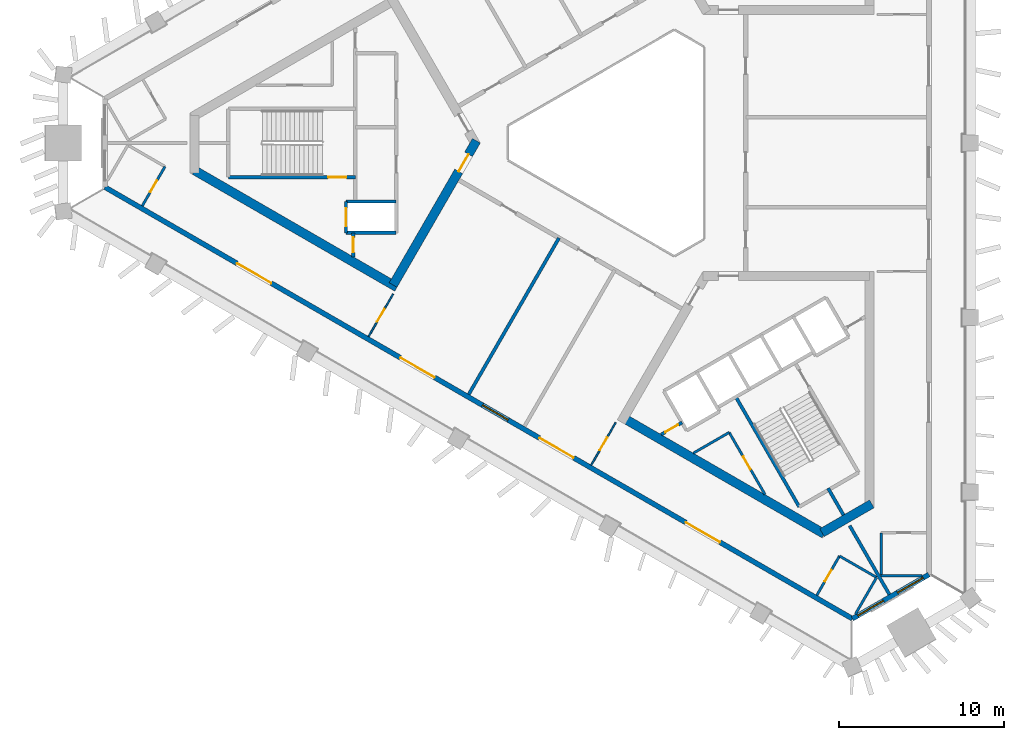
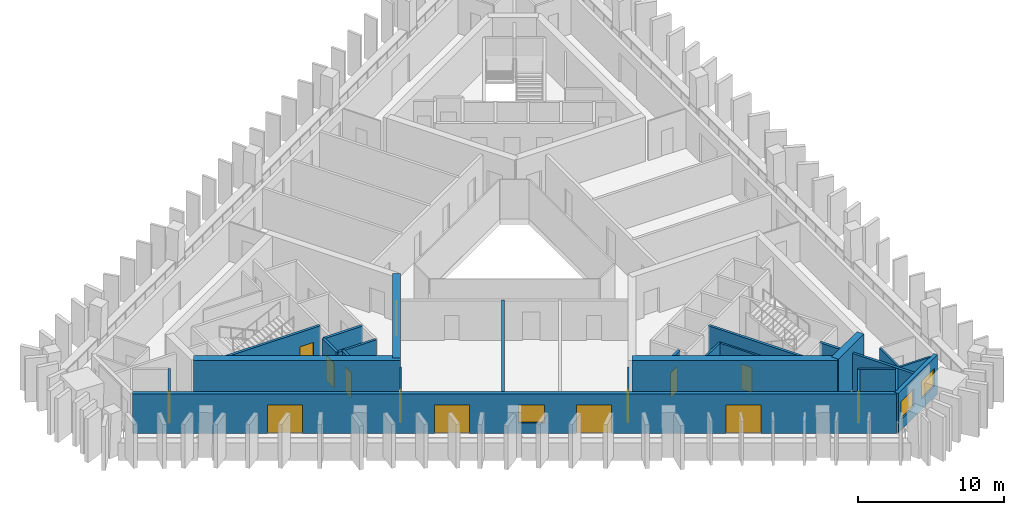
# One storey, part 2 of 9: 26 walls, 14 doors, 3 windows, 17 openings.
"""IFC4 building model written with IfcOpenShell, lengths in metres."""

from ifc_helpers import new_model, si_unit, direction, frame, frame_2d, origin, place, context, subcontext, project, spatial, rectangle, extrude, material, layer, layer_set, type_object, element, fill, save


model = new_model("IFC4")

# Units and contexts
model_context = context("Model", 3, precision=1e-05, world=origin(), true_north=direction((0.0, 1.0)))
body_context = subcontext(model_context, "Body", "Model", "MODEL_VIEW")
ifc_project = project(units=[si_unit("LENGTHUNIT", "METRE"), si_unit("AREAUNIT", "SQUARE_METRE"), si_unit("VOLUMEUNIT", "CUBIC_METRE"), si_unit("PLANEANGLEUNIT", "RADIAN"), si_unit("MASSUNIT", "GRAM", prefix="KILO")], contexts=[model_context])

# Site, building, storey
site_placement = place(None, origin())
site = spatial("IfcSite", under=ifc_project, at=site_placement, CompositionType="ELEMENT")
building_placement = place(site_placement, origin())
building = spatial("IfcBuilding", under=site, at=building_placement, Name="Jabali Bay Hotel Tower and Convention Centre", CompositionType="ELEMENT")
storey_placement = place(building_placement, frame((0.0, 0.0, 193.300048828125)))
storey = spatial("IfcBuildingStorey", under=building, at=storey_placement, Name="L47", CompositionType="ELEMENT", Elevation=193.300048828125)

# Wall, opening, door
ifc_material_1 = material(Name="Concrete C40", Category="concrete")
ifc_layer_1 = layer(ifc_material_1, 0.199951171875)
ifc_layer_set_1 = layer_set([ifc_layer_1], Name="Concrete C40")
wall_type_1 = type_object("IfcWallType", Name="Core partition wall 200", PredefinedType="PARTITIONING", material=ifc_layer_set_1)
wall_1_placement = place(storey_placement, frame((58.300048828125, 74.550048828125, 0.0), z_axis=(0.0, 0.0, 1.0), x_axis=(0.0, -1.0, 0.0)))
wall_1 = element("IfcWall", 1, at=wall_1_placement, inside=storey, type_object=wall_type_1, Name="Core wall 0.10 L47", PredefinedType="PARTITIONING", context=body_context, shape_type="SweptSolid", body=[
    extrude(rectangle(XDim=1.455078125, YDim=0.199951171875, at=frame_2d((0.7275390625, 0.0))), origin(), (0.0, 0.0, 1.0), 3.300048828125),
])
opening_1_placement = place(wall_1_placement, frame((0.277587890625, 0.0, 0.0)))
opening_1 = element("IfcOpeningElement", 2, at=opening_1_placement, cuts=wall_1, Name="Opening D1012", PredefinedType="OPENING", context=body_context, shape_type="SweptSolid", body=[
    extrude(rectangle(XDim=0.89990234375, YDim=2.10009765625, at=frame_2d((0.449951171875, 1.050048828125))), frame((0.0, 0.1103515625, 0.0), z_axis=(0.0, -1.0, 0.0), x_axis=(1.0, 0.0, 0.0)), (0.0, 0.0, 1.0), 0.220947265625),
])
ifc_material_2 = material(Name="Fire-rated steel door", Category="steel")
door_type_1 = type_object("IfcDoorType", Name="Vestibule fire door 900 x 2100", OperationType="NOTDEFINED", PredefinedType="NOTDEFINED", material=ifc_material_2)
door_1_placement = place(opening_1_placement, origin())
door_1 = element("IfcDoor", 3, at=door_1_placement, inside=storey, type_object=door_type_1, Name="Vestibule fire door D1012", OperationType="SINGLE_SWING_LEFT", OverallHeight=2.10009765625, OverallWidth=0.89990234375, PredefinedType="NOTDEFINED", context=body_context, shape_type="SweptSolid", body=[
    extrude(rectangle(XDim=0.89990234375, YDim=2.10009765625, at=frame_2d((0.449951171875, 1.050048828125))), frame((0.0, 0.02490234375, 0.0), z_axis=(0.0, -1.0, 0.0), x_axis=(1.0, 0.0, 0.0)), (0.0, 0.0, 1.0), 0.050048828125),
])
fill(opening_1, door_1)

# Wall
wall_2_placement = place(storey_placement, frame((87.090087890625, 59.0595703125, 0.0), z_axis=(0.0, 0.0, 1.0), x_axis=(0.499951854219, -0.86605319898, 0.0)))
element("IfcWall", 4, at=wall_2_placement, inside=storey, type_object=wall_type_1, Name="Core wall 2.5 L47", PredefinedType="PARTITIONING", context=body_context, shape_type="SweptSolid", body=[
    extrude(rectangle(XDim=1.873291015625, YDim=0.199951171875, at=frame_2d((0.9365234375, 0.0))), origin(), (0.0, 0.0, 1.0), 3.300048828125),
])

# Wall, opening, door
wall_3_placement = place(storey_placement, frame((76.969970703125, 62.315673828125, 0.0), z_axis=(0.0, 0.0, 1.0), x_axis=(0.865982457891, 0.500074377092, 0.0)))
wall_3 = element("IfcWall", 5, at=wall_3_placement, inside=storey, type_object=wall_type_1, Name="Core wall 2.11 L47", PredefinedType="PARTITIONING", context=body_context, shape_type="SweptSolid", body=[
    extrude(rectangle(XDim=1.461181640625, YDim=0.199951171875, at=frame_2d((0.73046875, 0.0))), origin(), (0.0, 0.0, 1.0), 3.300048828125),
])
opening_2_placement = place(wall_3_placement, frame((0.280517578125, 0.0, 0.0)))
opening_2 = element("IfcOpeningElement", 6, at=opening_2_placement, cuts=wall_3, Name="Opening D1025", PredefinedType="OPENING", context=body_context, shape_type="SweptSolid", body=[
    extrude(rectangle(XDim=0.89990234375, YDim=2.10009765625, at=frame_2d((0.449951171875, 1.050048828125))), frame((0.0, 0.1103515625, 0.0), z_axis=(0.0, -1.0, 0.0), x_axis=(1.0, 0.0, 0.0)), (0.0, 0.0, 1.0), 0.220947265625),
])
door_2_placement = place(opening_2_placement, origin())
door_2 = element("IfcDoor", 7, at=door_2_placement, inside=storey, type_object=door_type_1, Name="Vestibule fire door D1025", OperationType="SINGLE_SWING_LEFT", OverallHeight=2.10009765625, OverallWidth=0.89990234375, PredefinedType="NOTDEFINED", context=body_context, shape_type="SweptSolid", body=[
    extrude(rectangle(XDim=0.89990234375, YDim=2.10009765625, at=frame_2d((0.449951171875, 1.050048828125))), frame((0.0, 0.02490234375, 0.0), z_axis=(0.0, -1.0, 0.0), x_axis=(1.0, 0.0, 0.0)), (0.0, 0.0, 1.0), 0.050048828125),
])
fill(opening_2, door_2)

ifc_material_3 = material(Name="Fire-rated board partition")
ifc_layer_2 = layer(ifc_material_3, 0.14990234375)
ifc_layer_set_2 = layer_set([ifc_layer_2], Name="Fire-rated board partition")
wall_type_2 = type_object("IfcWallType", Name="Core room partition 150", PredefinedType="PARTITIONING", material=ifc_layer_set_2)
wall_4_placement = place(storey_placement, frame((81.093994140625, 62.445068359375, 0.0), z_axis=(0.0, 0.0, 1.0), x_axis=(0.499980071345, -0.866036909293, 0.0)))
wall_4 = element("IfcWall", 8, at=wall_4_placement, inside=storey, type_object=wall_type_2, Name="Core wall 2.1 L47", PredefinedType="PARTITIONING", context=body_context, shape_type="SweptSolid", body=[
    extrude(rectangle(XDim=4.347900390625, YDim=0.14990234375, at=frame_2d((2.173828125, 0.0))), origin(), (0.0, 0.0, 1.0), 3.300048828125),
])
opening_3_placement = place(wall_4_placement, frame((1.696533203125, 0.0, 0.0)))
opening_3 = element("IfcOpeningElement", 9, at=opening_3_placement, cuts=wall_4, Name="Opening D1027", PredefinedType="OPENING", context=body_context, shape_type="SweptSolid", body=[
    extrude(rectangle(XDim=0.89990234375, YDim=2.10009765625, at=frame_2d((0.449951171875, 1.050048828125))), frame((0.0, 0.08544921875, 0.0), z_axis=(0.0, -1.0, 0.0), x_axis=(1.0, 0.0, 0.0)), (0.0, 0.0, 1.0), 0.1708984375),
])
door_type_2 = type_object("IfcDoorType", Name="Core room door 900 x 2100", OperationType="NOTDEFINED", PredefinedType="NOTDEFINED", material=ifc_material_2)
door_3_placement = place(opening_3_placement, origin())
door_3 = element("IfcDoor", 10, at=door_3_placement, inside=storey, type_object=door_type_2, Name="Core room door D1027", OperationType="SINGLE_SWING_LEFT", OverallHeight=2.10009765625, OverallWidth=0.89990234375, PredefinedType="NOTDEFINED", context=body_context, shape_type="SweptSolid", body=[
    extrude(rectangle(XDim=0.89990234375, YDim=2.10009765625, at=frame_2d((0.449951171875, 1.050048828125))), frame((0.0, 0.02490234375, 0.0), z_axis=(0.0, -1.0, 0.0), x_axis=(1.0, 0.0, 0.0)), (0.0, 0.0, 1.0), 0.050048828125),
])
fill(opening_3, door_3)

# Wall
wall_5_placement = place(storey_placement, frame((78.919921875, 61.18994140625, 0.0), z_axis=(0.0, 0.0, 1.0), x_axis=(0.866038211682, 0.499977815414, 0.0)))
element("IfcWall", 11, at=wall_5_placement, inside=storey, type_object=wall_type_2, Name="Core wall 2.16 L47", PredefinedType="PARTITIONING", context=body_context, shape_type="SweptSolid", body=[
    extrude(rectangle(XDim=2.51025390625, YDim=0.14990234375, at=frame_2d((1.255126953125, 0.0))), origin(), (0.0, 0.0, 1.0), 3.300048828125),
])

# Wall, opening, door
ifc_layer_3 = layer(ifc_material_1, 0.199951171875)
ifc_layer_set_3 = layer_set([ifc_layer_3], Name="Concrete C40")
wall_type_3 = type_object("IfcWallType", Name="Core stair wall 200", PredefinedType="SOLIDWALL", material=ifc_layer_set_3)
wall_6_placement = place(storey_placement, frame((58.419921875, 77.925048828125, 0.0), z_axis=(0.0, 0.0, 1.0), x_axis=(-1.0, 0.0, 0.0)))
wall_6 = element("IfcWall", 12, at=wall_6_placement, inside=storey, type_object=wall_type_3, Name="Core wall 0.5 L47", PredefinedType="SOLIDWALL", context=body_context, shape_type="SweptSolid", body=[
    extrude(rectangle(XDim=7.699951171875, YDim=0.199951171875, at=frame_2d((3.85009765625, 0.0))), origin(), (0.0, 0.0, 1.0), 3.300048828125),
])
opening_4_placement = place(wall_6_placement, frame((0.550048828125, 0.0, 0.0)))
opening_4 = element("IfcOpeningElement", 13, at=opening_4_placement, cuts=wall_6, Name="Opening D1014", PredefinedType="OPENING", context=body_context, shape_type="SweptSolid", body=[
    extrude(rectangle(XDim=1.10009765625, YDim=2.10009765625, at=frame_2d((0.550048828125, 1.050048828125))), frame((0.0, 0.1103515625, 0.0), z_axis=(0.0, -1.0, 0.0), x_axis=(1.0, 0.0, 0.0)), (0.0, 0.0, 1.0), 0.220947265625),
])
door_type_3 = type_object("IfcDoorType", Name="Stair fire door 1100 x 2100", OperationType="NOTDEFINED", PredefinedType="NOTDEFINED", material=ifc_material_2)
door_4_placement = place(opening_4_placement, origin())
door_4 = element("IfcDoor", 14, at=door_4_placement, inside=storey, type_object=door_type_3, Name="Stair fire door D1014", OperationType="SINGLE_SWING_RIGHT", OverallHeight=2.10009765625, OverallWidth=1.10009765625, PredefinedType="NOTDEFINED", context=body_context, shape_type="SweptSolid", body=[
    extrude(rectangle(XDim=1.10009765625, YDim=2.10009765625, at=frame_2d((0.550048828125, 1.050048828125))), frame((0.0, 0.02490234375, 0.0), z_axis=(0.0, -1.0, 0.0), x_axis=(1.0, 0.0, 0.0)), (0.0, 0.0, 1.0), 0.050048828125),
])
fill(opening_4, door_4)

# Walls
for number, where, z_axis, x_axis, name in (
    (15, (60.89990234375, 76.449951171875, 0.0), (0.0, 0.0, 1.0), (-1.0, 0.0, 0.0), "Core wall 0.6 L47"),
    (16, (60.89990234375, 74.550048828125, 0.0), (0.0, 0.0, 1.0), (-1.0, 0.0, 0.0), "Core wall 0.7 L47"),
):
    element("IfcWall", number, at=place(storey_placement, frame(where, z_axis=z_axis, x_axis=x_axis)), inside=storey, type_object=wall_type_3, Name=name, PredefinedType="SOLIDWALL", context=body_context, shape_type="SweptSolid", body=[
        extrude(rectangle(XDim=3.0498046875, YDim=0.199951171875, at=frame_2d((1.52490234375, 0.0))), origin(), (0.0, 0.0, 1.0), 3.300048828125),
    ])

# Wall, opening, door
wall_7_placement = place(storey_placement, frame((57.85009765625, 76.449951171875, 0.0), z_axis=(0.0, 0.0, 1.0), x_axis=(0.0, -1.0, 0.0)))
wall_7 = element("IfcWall", 17, at=wall_7_placement, inside=storey, type_object=wall_type_3, Name="Core wall 0.11 L47", PredefinedType="SOLIDWALL", context=body_context, shape_type="SweptSolid", body=[
    extrude(rectangle(XDim=1.89990234375, YDim=0.199951171875, at=frame_2d((0.949951171875, 0.0))), origin(), (0.0, 0.0, 1.0), 3.300048828125),
])
opening_5_placement = place(wall_7_placement, frame((0.39990234375, 0.0, 0.0)))
opening_5 = element("IfcOpeningElement", 18, at=opening_5_placement, cuts=wall_7, Name="Opening LD5-L47", PredefinedType="OPENING", context=body_context, shape_type="SweptSolid", body=[
    extrude(rectangle(XDim=1.10009765625, YDim=2.10009765625, at=frame_2d((0.550048828125, 1.050048828125))), frame((0.0, 0.1103515625, 0.0), z_axis=(0.0, -1.0, 0.0), x_axis=(1.0, 0.0, 0.0)), (0.0, 0.0, 1.0), 0.220947265625),
])
ifc_material_4 = material(Name="Stainless steel landing door", Category="steel")
door_type_4 = type_object("IfcDoorType", Name="Landing door 1100 x 2100", OperationType="NOTDEFINED", PredefinedType="NOTDEFINED", material=ifc_material_4)
door_5_placement = place(opening_5_placement, origin())
door_5 = element("IfcDoor", 19, at=door_5_placement, inside=storey, type_object=door_type_4, Name="Landing doors LD5-L47", OperationType="SLIDING_TO_RIGHT", OverallHeight=2.10009765625, OverallWidth=1.10009765625, PredefinedType="NOTDEFINED", context=body_context, shape_type="SweptSolid", body=[
    extrude(rectangle(XDim=1.10009765625, YDim=2.10009765625, at=frame_2d((0.550048828125, 1.050048828125))), frame((0.0, 0.02490234375, 0.0), z_axis=(0.0, -1.0, 0.0), x_axis=(1.0, 0.0, 0.0)), (0.0, 0.0, 1.0), 0.050048828125),
])
fill(opening_5, door_5)

# Walls
wall_8_placement = place(storey_placement, frame((81.492919921875, 64.603759765625, 0.0), z_axis=(0.0, 0.0, 1.0), x_axis=(0.500006057782, -0.866021906294, 0.0)))
element("IfcWall", 20, at=wall_8_placement, inside=storey, type_object=wall_type_3, Name="Core wall 2.3 L47", PredefinedType="SOLIDWALL", context=body_context, shape_type="SweptSolid", body=[
    extrude(rectangle(XDim=7.7001953125, YDim=0.199951171875, at=frame_2d((3.85009765625, 0.0))), origin(), (0.0, 0.0, 1.0), 3.300048828125),
])
ifc_material_5 = material(Name="Concrete C60", Category="concrete")
ifc_layer_4 = layer(ifc_material_5, 0.550048828125)
ifc_layer_set_4 = layer_set([ifc_layer_4], Name="Concrete C60")
wall_type_4 = type_object("IfcWallType", Name="Core wall 550", PredefinedType="SHEAR", material=ifc_layer_set_4)
wall_9_placement = place(storey_placement, frame((48.671875, 78.336181640625, 0.0), z_axis=(0.0, 0.0, 1.0), x_axis=(0.866023530946, -0.500003243837, 0.0)))
element("IfcWall", 21, at=wall_9_placement, inside=storey, type_object=wall_type_4, Name="Core wall 1.4 L47", PredefinedType="SHEAR", context=body_context, shape_type="SweptSolid", body=[
    extrude(rectangle(XDim=14.1748046875, YDim=0.550048828125, at=frame_2d((7.08740234375, 0.0))), origin(), (0.0, 0.0, 1.0), 3.699951171875),
])

# Wall, opening, door
wall_10_placement = place(storey_placement, frame((60.709228515625, 71.38623046875, 0.0), z_axis=(0.0, 0.0, 1.0), x_axis=(0.500015938302, 0.866016201606, 0.0)))
wall_10 = element("IfcWall", 22, at=wall_10_placement, inside=storey, type_object=wall_type_4, Name="Core wall 1.5 L47", PredefinedType="SHEAR", context=body_context, shape_type="SweptSolid", body=[
    extrude(rectangle(XDim=10.105224609375, YDim=0.550048828125, at=frame_2d((5.052734375, 0.0))), origin(), (0.0, 0.0, 1.0), 3.699951171875),
])
opening_6_placement = place(wall_10_placement, frame((7.955078125, 0.0, 0.0)))
opening_6 = element("IfcOpeningElement", 23, at=opening_6_placement, cuts=wall_10, Name="Opening D1009", PredefinedType="OPENING", context=body_context, shape_type="SweptSolid", body=[
    extrude(rectangle(XDim=1.199951171875, YDim=2.10009765625, at=frame_2d((0.60009765625, 1.050048828125))), frame((0.0, 0.28564453125, 0.0), z_axis=(0.0, -1.0, 0.0), x_axis=(1.0, 0.0, 0.0)), (0.0, 0.0, 1.0), 0.571044921875),
])
door_type_5 = type_object("IfcDoorType", Name="Corridor end fire door 1200 x 2100", OperationType="NOTDEFINED", PredefinedType="NOTDEFINED", material=ifc_material_2)
door_6_placement = place(opening_6_placement, origin())
door_6 = element("IfcDoor", 24, at=door_6_placement, inside=storey, type_object=door_type_5, Name="Corridor end fire door D1009", OperationType="SINGLE_SWING_LEFT", OverallHeight=2.10009765625, OverallWidth=1.199951171875, PredefinedType="NOTDEFINED", context=body_context, shape_type="SweptSolid", body=[
    extrude(rectangle(XDim=1.199951171875, YDim=2.10009765625, at=frame_2d((0.60009765625, 1.050048828125))), frame((0.0, 0.02490234375, 0.0), z_axis=(0.0, -1.0, 0.0), x_axis=(1.0, 0.0, 0.0)), (0.0, 0.0, 1.0), 0.050048828125),
])
fill(opening_6, door_6)

# Walls
wall_11_placement = place(storey_placement, frame((74.685546875, 63.317138671875, 0.0), z_axis=(0.0, 0.0, 1.0), x_axis=(0.866024505738, -0.500001555459, 0.0)))
element("IfcWall", 25, at=wall_11_placement, inside=storey, type_object=wall_type_4, Name="Core wall 3.2 L47", PredefinedType="SHEAR", context=body_context, shape_type="SweptSolid", body=[
    extrude(rectangle(XDim=14.05859375, YDim=0.550048828125, at=frame_2d((7.029296875, 0.0))), origin(), (0.0, 0.0, 1.0), 3.699951171875),
])
wall_12_placement = place(storey_placement, frame((86.72314453125, 56.3671875, 0.0), z_axis=(0.0, 0.0, 1.0), x_axis=(0.865997833373, 0.500047750313, 0.0)))
element("IfcWall", 26, at=wall_12_placement, inside=storey, type_object=wall_type_4, Name="Core wall 3.3 L47", PredefinedType="SHEAR", context=body_context, shape_type="SweptSolid", body=[
    extrude(rectangle(XDim=3.486572265625, YDim=0.550048828125, at=frame_2d((1.7431640625, 0.0))), origin(), (0.0, 0.0, 1.0), 3.699951171875),
])

# Wall, openings, windows
ifc_layer_5 = layer(ifc_material_1, 0.300048828125)
ifc_layer_set_5 = layer_set([ifc_layer_5], Name="Concrete C40")
wall_type_5 = type_object("IfcWallType", Name="External wall 300", PredefinedType="SOLIDWALL", material=ifc_layer_set_5)
wall_13_placement = place(storey_placement, frame((93.203125, 53.82666015625, 0.0), z_axis=(0.0, 0.0, 1.0), x_axis=(-0.866023885066, -0.500002630489, 0.0)))
wall_13 = element("IfcWall", 27, at=wall_13_placement, inside=storey, type_object=wall_type_5, Name="External wall south-east chamfer L47", PredefinedType="SOLIDWALL", context=body_context, shape_type="SweptSolid", body=[
    extrude(rectangle(XDim=5.35546875, YDim=0.300048828125, at=frame_2d((2.677734375, 0.0))), origin(), (0.0, 0.0, 1.0), 3.300048828125),
])
opening_7_placement = place(wall_13_placement, frame((0.395263671875, 0.0, 0.89990234375)))
opening_7 = element("IfcOpeningElement", 28, at=opening_7_placement, cuts=wall_13, Name="Opening W1", PredefinedType="OPENING", context=body_context, shape_type="SweptSolid", body=[
    extrude(rectangle(XDim=1.800048828125, YDim=1.5, at=frame_2d((0.89990234375, 0.75))), frame((0.0, 0.16064453125, 0.0), z_axis=(0.0, -1.0, 0.0), x_axis=(1.0, 0.0, 0.0)), (0.0, 0.0, 1.0), 0.321044921875),
])
opening_8_placement = place(wall_13_placement, frame((3.172119140625, 0.0, 0.89990234375)))
opening_8 = element("IfcOpeningElement", 29, at=opening_8_placement, cuts=wall_13, Name="Opening W1", PredefinedType="OPENING", context=body_context, shape_type="SweptSolid", body=[
    extrude(rectangle(XDim=1.800048828125, YDim=1.5, at=frame_2d((0.89990234375, 0.75))), frame((0.0, 0.16064453125, 0.0), z_axis=(0.0, -1.0, 0.0), x_axis=(1.0, 0.0, 0.0)), (0.0, 0.0, 1.0), 0.321044921875),
])
ifc_material_6 = material(Name="Glass", Category="glass")
window_type = type_object("IfcWindowType", Name="Window 1800 x 1500", PartitioningType="SINGLE_PANEL", PredefinedType="WINDOW", material=ifc_material_6)
window_1_placement = place(opening_7_placement, origin())
window_1 = element("IfcWindow", 30, at=window_1_placement, inside=storey, type_object=window_type, Name="Window 4701", OverallHeight=1.5, OverallWidth=1.800048828125, PartitioningType="SINGLE_PANEL", PredefinedType="WINDOW", context=body_context, shape_type="SweptSolid", body=[
    extrude(rectangle(XDim=1.800048828125, YDim=1.5, at=frame_2d((0.89990234375, 0.75))), frame((0.0, 0.030029296875, 0.0), z_axis=(0.0, -1.0, 0.0), x_axis=(1.0, 0.0, 0.0)), (0.0, 0.0, 1.0), 0.06005859375),
])
fill(opening_7, window_1)
window_2_placement = place(opening_8_placement, origin())
window_2 = element("IfcWindow", 31, at=window_2_placement, inside=storey, type_object=window_type, Name="Window 4708", OverallHeight=1.5, OverallWidth=1.800048828125, PartitioningType="SINGLE_PANEL", PredefinedType="WINDOW", context=body_context, shape_type="SweptSolid", body=[
    extrude(rectangle(XDim=1.800048828125, YDim=1.5, at=frame_2d((0.89990234375, 0.75))), frame((0.0, 0.030029296875, 0.0), z_axis=(0.0, -1.0, 0.0), x_axis=(1.0, 0.0, 0.0)), (0.0, 0.0, 1.0), 0.06005859375),
])
fill(opening_8, window_2)

# Wall, openings, doors, window
wall_14_placement = place(storey_placement, frame((88.565185546875, 51.14892578125, 0.0), z_axis=(0.0, 0.0, 1.0), x_axis=(-0.866025125259, 0.500000482419, 0.0)))
wall_14 = element("IfcWall", 32, at=wall_14_placement, inside=storey, type_object=wall_type_5, Name="External wall south-west face L47", PredefinedType="SOLIDWALL", context=body_context, shape_type="SweptSolid", body=[
    extrude(rectangle(XDim=52.3466796875, YDim=0.300048828125, at=frame_2d((26.17333984375, 0.0))), origin(), (0.0, 0.0, 1.0), 3.300048828125),
])
opening_9_placement = place(wall_14_placement, frame((29.26025390625, 0.0, 0.0)))
opening_9 = element("IfcOpeningElement", 33, at=opening_9_placement, cuts=wall_14, Name="Opening SD1", PredefinedType="OPENING", context=body_context, shape_type="SweptSolid", body=[
    extrude(rectangle(XDim=2.39990234375, YDim=2.39990234375, at=frame_2d((1.199951171875, 1.199951171875))), frame((0.0, 0.16064453125, 0.0), z_axis=(0.0, -1.0, 0.0), x_axis=(1.0, 0.0, 0.0)), (0.0, 0.0, 1.0), 0.321044921875),
])
opening_10_placement = place(wall_14_placement, frame((40.700439453125, 0.0, 0.0)))
opening_10 = element("IfcOpeningElement", 34, at=opening_10_placement, cuts=wall_14, Name="Opening SD1", PredefinedType="OPENING", context=body_context, shape_type="SweptSolid", body=[
    extrude(rectangle(XDim=2.39990234375, YDim=2.39990234375, at=frame_2d((1.199951171875, 1.199951171875))), frame((0.0, 0.16064453125, 0.0), z_axis=(0.0, -1.0, 0.0), x_axis=(1.0, 0.0, 0.0)), (0.0, 0.0, 1.0), 0.321044921875),
])
opening_11_placement = place(wall_14_placement, frame((19.517333984375, 0.0, 0.0)))
opening_11 = element("IfcOpeningElement", 35, at=opening_11_placement, cuts=wall_14, Name="Opening SD1", PredefinedType="OPENING", context=body_context, shape_type="SweptSolid", body=[
    extrude(rectangle(XDim=2.39990234375, YDim=2.39990234375, at=frame_2d((1.199951171875, 1.199951171875))), frame((0.0, 0.16064453125, 0.0), z_axis=(0.0, -1.0, 0.0), x_axis=(1.0, 0.0, 0.0)), (0.0, 0.0, 1.0), 0.321044921875),
])
opening_12_placement = place(wall_14_placement, frame((9.27001953125, 0.0, 0.0)))
opening_12 = element("IfcOpeningElement", 36, at=opening_12_placement, cuts=wall_14, Name="Opening SD1", PredefinedType="OPENING", context=body_context, shape_type="SweptSolid", body=[
    extrude(rectangle(XDim=2.39990234375, YDim=2.39990234375, at=frame_2d((1.199951171875, 1.199951171875))), frame((0.0, 0.16064453125, 0.0), z_axis=(0.0, -1.0, 0.0), x_axis=(1.0, 0.0, 0.0)), (0.0, 0.0, 1.0), 0.321044921875),
])
opening_13_placement = place(wall_14_placement, frame((24.104248046875, 0.0, 0.89990234375)))
opening_13 = element("IfcOpeningElement", 37, at=opening_13_placement, cuts=wall_14, Name="Opening W1", PredefinedType="OPENING", context=body_context, shape_type="SweptSolid", body=[
    extrude(rectangle(XDim=1.800048828125, YDim=1.5, at=frame_2d((0.89990234375, 0.75))), frame((0.0, 0.16064453125, 0.0), z_axis=(0.0, -1.0, 0.0), x_axis=(1.0, 0.0, 0.0)), (0.0, 0.0, 1.0), 0.321044921875),
])
door_type_6 = type_object("IfcDoorType", Name="Loggia sliding door 2400 x 2400", OperationType="NOTDEFINED", PredefinedType="NOTDEFINED", material=ifc_material_6)
door_7_placement = place(opening_9_placement, origin())
door_7 = element("IfcDoor", 38, at=door_7_placement, inside=storey, type_object=door_type_6, Name="Loggia sliding door 4707", OperationType="SLIDING_TO_LEFT", OverallHeight=2.39990234375, OverallWidth=2.39990234375, PredefinedType="NOTDEFINED", context=body_context, shape_type="SweptSolid", body=[
    extrude(rectangle(XDim=2.39990234375, YDim=2.39990234375, at=frame_2d((1.199951171875, 1.199951171875))), frame((0.0, 0.02490234375, 0.0), z_axis=(0.0, -1.0, 0.0), x_axis=(1.0, 0.0, 0.0)), (0.0, 0.0, 1.0), 0.050048828125),
])
fill(opening_9, door_7)
door_8_placement = place(opening_10_placement, origin())
door_8 = element("IfcDoor", 39, at=door_8_placement, inside=storey, type_object=door_type_6, Name="Loggia sliding door 4707", OperationType="SLIDING_TO_RIGHT", OverallHeight=2.39990234375, OverallWidth=2.39990234375, PredefinedType="NOTDEFINED", context=body_context, shape_type="SweptSolid", body=[
    extrude(rectangle(XDim=2.39990234375, YDim=2.39990234375, at=frame_2d((1.199951171875, 1.199951171875))), frame((0.0, 0.02490234375, 0.0), z_axis=(0.0, -1.0, 0.0), x_axis=(1.0, 0.0, 0.0)), (0.0, 0.0, 1.0), 0.050048828125),
])
fill(opening_10, door_8)
door_9_placement = place(opening_11_placement, origin())
door_9 = element("IfcDoor", 40, at=door_9_placement, inside=storey, type_object=door_type_6, Name="Loggia sliding door 4708", OperationType="SLIDING_TO_LEFT", OverallHeight=2.39990234375, OverallWidth=2.39990234375, PredefinedType="NOTDEFINED", context=body_context, shape_type="SweptSolid", body=[
    extrude(rectangle(XDim=2.39990234375, YDim=2.39990234375, at=frame_2d((1.199951171875, 1.199951171875))), frame((0.0, 0.02490234375, 0.0), z_axis=(0.0, -1.0, 0.0), x_axis=(1.0, 0.0, 0.0)), (0.0, 0.0, 1.0), 0.050048828125),
])
fill(opening_11, door_9)
door_10_placement = place(opening_12_placement, origin())
door_10 = element("IfcDoor", 41, at=door_10_placement, inside=storey, type_object=door_type_6, Name="Loggia sliding door 4708", OperationType="SLIDING_TO_RIGHT", OverallHeight=2.39990234375, OverallWidth=2.39990234375, PredefinedType="NOTDEFINED", context=body_context, shape_type="SweptSolid", body=[
    extrude(rectangle(XDim=2.39990234375, YDim=2.39990234375, at=frame_2d((1.199951171875, 1.199951171875))), frame((0.0, 0.02490234375, 0.0), z_axis=(0.0, -1.0, 0.0), x_axis=(1.0, 0.0, 0.0)), (0.0, 0.0, 1.0), 0.050048828125),
])
fill(opening_12, door_10)
window_3_placement = place(opening_13_placement, origin())
window_3 = element("IfcWindow", 42, at=window_3_placement, inside=storey, type_object=window_type, Name="Window", OverallHeight=1.5, OverallWidth=1.800048828125, PartitioningType="SINGLE_PANEL", PredefinedType="WINDOW", context=body_context, shape_type="SweptSolid", body=[
    extrude(rectangle(XDim=1.800048828125, YDim=1.5, at=frame_2d((0.89990234375, 0.75))), frame((0.0, 0.030029296875, 0.0), z_axis=(0.0, -1.0, 0.0), x_axis=(1.0, 0.0, 0.0)), (0.0, 0.0, 1.0), 0.06005859375),
])
fill(opening_13, window_3)

# Wall, opening, door
ifc_material_7 = material(Name="Plasterboard on steel stud", Category="steel")
ifc_layer_6 = layer(ifc_material_7, 0.10009765625)
ifc_layer_set_6 = layer_set([ifc_layer_6], Name="Plasterboard on steel stud")
wall_type_6 = type_object("IfcWallType", Name="Partition 100 unit", PredefinedType="PARTITIONING", material=ifc_layer_set_6)
wall_15_placement = place(storey_placement, frame((60.71044921875, 70.83837890625, 0.0), z_axis=(0.0, 0.0, 1.0), x_axis=(-0.49997816789, -0.866038008192, 0.0)))
wall_15 = element("IfcWall", 43, at=wall_15_placement, inside=storey, type_object=wall_type_6, Name="Partition P02 L47 025", PredefinedType="PARTITIONING", context=body_context, shape_type="SweptSolid", body=[
    extrude(rectangle(XDim=2.975341796875, YDim=0.10009765625, at=frame_2d((1.48779296875, 0.0))), origin(), (0.0, 0.0, 1.0), 3.300048828125),
])
opening_14_placement = place(wall_15_placement, frame((1.0380859375, 0.0, 0.0)))
opening_14 = element("IfcOpeningElement", 44, at=opening_14_placement, cuts=wall_15, Name="Opening 4717", PredefinedType="OPENING", context=body_context, shape_type="SweptSolid", body=[
    extrude(rectangle(XDim=0.89990234375, YDim=2.10009765625, at=frame_2d((0.449951171875, 1.050048828125))), frame((0.0, 0.060546875, 0.0), z_axis=(0.0, -1.0, 0.0), x_axis=(1.0, 0.0, 0.0)), (0.0, 0.0, 1.0), 0.12109375),
])
ifc_material_8 = material(Name="Timber", Category="wood")
door_type_7 = type_object("IfcDoorType", Name="Internal door 900 x 2100", OperationType="NOTDEFINED", PredefinedType="NOTDEFINED", material=ifc_material_8)
door_11_placement = place(opening_14_placement, origin())
door_11 = element("IfcDoor", 45, at=door_11_placement, inside=storey, type_object=door_type_7, Name="Door 4717", OperationType="SINGLE_SWING_RIGHT", OverallHeight=2.10009765625, OverallWidth=0.89990234375, PredefinedType="NOTDEFINED", context=body_context, shape_type="SweptSolid", body=[
    extrude(rectangle(XDim=0.89990234375, YDim=2.10009765625, at=frame_2d((0.449951171875, 1.050048828125))), frame((0.0, 0.02490234375, 0.0), z_axis=(0.0, -1.0, 0.0), x_axis=(1.0, 0.0, 0.0)), (0.0, 0.0, 1.0), 0.050048828125),
])
fill(opening_14, door_11)

wall_16_placement = place(storey_placement, frame((72.722900390625, 60.467529296875, 0.0), z_axis=(0.0, 0.0, 1.0), x_axis=(0.49997816789, 0.866038008192, 0.0)))
wall_16 = element("IfcWall", 46, at=wall_16_placement, inside=storey, type_object=wall_type_6, Name="Partition P02 L47 031", PredefinedType="PARTITIONING", context=body_context, shape_type="SweptSolid", body=[
    extrude(rectangle(XDim=2.975341796875, YDim=0.10009765625, at=frame_2d((1.48779296875, 0.0))), origin(), (0.0, 0.0, 1.0), 3.300048828125),
])
opening_15_placement = place(wall_16_placement, frame((1.0380859375, 0.0, 0.0)))
opening_15 = element("IfcOpeningElement", 47, at=opening_15_placement, cuts=wall_16, Name="Opening 4721", PredefinedType="OPENING", context=body_context, shape_type="SweptSolid", body=[
    extrude(rectangle(XDim=0.89990234375, YDim=2.10009765625, at=frame_2d((0.449951171875, 1.050048828125))), frame((0.0, 0.060546875, 0.0), z_axis=(0.0, -1.0, 0.0), x_axis=(1.0, 0.0, 0.0)), (0.0, 0.0, 1.0), 0.12109375),
])
door_12_placement = place(opening_15_placement, origin())
door_12 = element("IfcDoor", 48, at=door_12_placement, inside=storey, type_object=door_type_7, Name="Door 4721", OperationType="SINGLE_SWING_RIGHT", OverallHeight=2.10009765625, OverallWidth=0.89990234375, PredefinedType="NOTDEFINED", context=body_context, shape_type="SweptSolid", body=[
    extrude(rectangle(XDim=0.89990234375, YDim=2.10009765625, at=frame_2d((0.449951171875, 1.050048828125))), frame((0.0, 0.02490234375, 0.0), z_axis=(0.0, -1.0, 0.0), x_axis=(1.0, 0.0, 0.0)), (0.0, 0.0, 1.0), 0.050048828125),
])
fill(opening_15, door_12)

# Walls
ifc_layer_7 = layer(ifc_material_7, 0.14990234375)
ifc_layer_set_7 = layer_set([ifc_layer_7], Name="Plasterboard on steel stud")
wall_type_7 = type_object("IfcWallType", Name="Partition 150 wet", PredefinedType="PARTITIONING", material=ifc_layer_set_7)
wall_17_placement = place(storey_placement, frame((92.7861328125, 53.7578125, 0.0), z_axis=(0.0, 0.0, 1.0), x_axis=(-1.0, 0.0, 0.0)))
element("IfcWall", 49, at=wall_17_placement, inside=storey, type_object=wall_type_7, Name="Partition P03 L47 003", PredefinedType="PARTITIONING", context=body_context, shape_type="SweptSolid", body=[
    extrude(rectangle(XDim=2.484619140625, YDim=0.14990234375, at=frame_2d((1.2421875, 0.0))), origin(), (0.0, 0.0, 1.0), 3.300048828125),
])
wall_18_placement = place(storey_placement, frame((90.301513671875, 53.7578125, 0.0), z_axis=(0.0, 0.0, 1.0), x_axis=(0.0, 1.0, 0.0)))
element("IfcWall", 50, at=wall_18_placement, inside=storey, type_object=wall_type_7, Name="Partition P03 L47 004", PredefinedType="PARTITIONING", context=body_context, shape_type="SweptSolid", body=[
    extrude(rectangle(XDim=2.60009765625, YDim=0.14990234375, at=frame_2d((1.300048828125, 0.0))), origin(), (0.0, 0.0, 1.0), 3.300048828125),
])

# Wall, opening, door
wall_19_placement = place(storey_placement, frame((46.87451171875, 78.569580078125, 0.0), z_axis=(0.0, 0.0, 1.0), x_axis=(-0.499983500429, -0.866034929606, 0.0)))
wall_19 = element("IfcWall", 51, at=wall_19_placement, inside=storey, type_object=wall_type_7, Name="Partition P03 L47 029", PredefinedType="PARTITIONING", context=body_context, shape_type="SweptSolid", body=[
    extrude(rectangle(XDim=2.75244140625, YDim=0.14990234375, at=frame_2d((1.376220703125, 0.0))), origin(), (0.0, 0.0, 1.0), 3.300048828125),
])
opening_16_placement = place(wall_19_placement, frame((0.97607421875, 0.0, 0.0)))
opening_16 = element("IfcOpeningElement", 52, at=opening_16_placement, cuts=wall_19, Name="Opening 4718", PredefinedType="OPENING", context=body_context, shape_type="SweptSolid", body=[
    extrude(rectangle(XDim=0.800048828125, YDim=2.10009765625, at=frame_2d((0.39990234375, 1.050048828125))), frame((0.0, 0.08544921875, 0.0), z_axis=(0.0, -1.0, 0.0), x_axis=(1.0, 0.0, 0.0)), (0.0, 0.0, 1.0), 0.1708984375),
])
door_type_8 = type_object("IfcDoorType", Name="En-suite door 800 x 2100", OperationType="NOTDEFINED", PredefinedType="NOTDEFINED", material=ifc_material_8)
door_13_placement = place(opening_16_placement, origin())
door_13 = element("IfcDoor", 53, at=door_13_placement, inside=storey, type_object=door_type_8, Name="Door 4718", OperationType="SINGLE_SWING_RIGHT", OverallHeight=2.10009765625, OverallWidth=0.800048828125, PredefinedType="NOTDEFINED", context=body_context, shape_type="SweptSolid", body=[
    extrude(rectangle(XDim=0.800048828125, YDim=2.10009765625, at=frame_2d((0.39990234375, 1.050048828125))), frame((0.0, 0.02490234375, 0.0), z_axis=(0.0, -1.0, 0.0), x_axis=(1.0, 0.0, 0.0)), (0.0, 0.0, 1.0), 0.050048828125),
])
fill(opening_16, door_13)

wall_20_placement = place(storey_placement, frame((86.40625, 52.567626953125, 0.0), z_axis=(0.0, 0.0, 1.0), x_axis=(0.499983500429, 0.866034929606, 0.0)))
wall_20 = element("IfcWall", 54, at=wall_20_placement, inside=storey, type_object=wall_type_7, Name="Partition P03 L47 032", PredefinedType="PARTITIONING", context=body_context, shape_type="SweptSolid", body=[
    extrude(rectangle(XDim=2.75244140625, YDim=0.14990234375, at=frame_2d((1.376220703125, 0.0))), origin(), (0.0, 0.0, 1.0), 3.300048828125),
])
opening_17_placement = place(wall_20_placement, frame((0.97607421875, 0.0, 0.0)))
opening_17 = element("IfcOpeningElement", 55, at=opening_17_placement, cuts=wall_20, Name="Opening 4722", PredefinedType="OPENING", context=body_context, shape_type="SweptSolid", body=[
    extrude(rectangle(XDim=0.800048828125, YDim=2.10009765625, at=frame_2d((0.39990234375, 1.050048828125))), frame((0.0, 0.08544921875, 0.0), z_axis=(0.0, -1.0, 0.0), x_axis=(1.0, 0.0, 0.0)), (0.0, 0.0, 1.0), 0.1708984375),
])
door_14_placement = place(opening_17_placement, origin())
door_14 = element("IfcDoor", 56, at=door_14_placement, inside=storey, type_object=door_type_8, Name="Door 4722", OperationType="SINGLE_SWING_RIGHT", OverallHeight=2.10009765625, OverallWidth=0.800048828125, PredefinedType="NOTDEFINED", context=body_context, shape_type="SweptSolid", body=[
    extrude(rectangle(XDim=0.800048828125, YDim=2.10009765625, at=frame_2d((0.39990234375, 1.050048828125))), frame((0.0, 0.02490234375, 0.0), z_axis=(0.0, -1.0, 0.0), x_axis=(1.0, 0.0, 0.0)), (0.0, 0.0, 1.0), 0.050048828125),
])
fill(opening_17, door_14)

# Walls
wall_21_placement = place(storey_placement, frame((87.782470703125, 54.951416015625, 0.0), z_axis=(0.0, 0.0, 1.0), x_axis=(0.866021400173, -0.500006934395, 0.0)))
element("IfcWall", 57, at=wall_21_placement, inside=storey, type_object=wall_type_7, Name="Partition P03 L47 033", PredefinedType="PARTITIONING", context=body_context, shape_type="SweptSolid", body=[
    extrude(rectangle(XDim=2.60009765625, YDim=0.14990234375, at=frame_2d((1.300048828125, 0.0))), origin(), (0.0, 0.0, 1.0), 3.300048828125),
])
wall_22_placement = place(storey_placement, frame((90.0341796875, 53.6513671875, 0.0), z_axis=(0.0, 0.0, 1.0), x_axis=(-0.50000507078, -0.866022476149, 0.0)))
element("IfcWall", 58, at=wall_22_placement, inside=storey, type_object=wall_type_7, Name="Partition P03 L47 034", PredefinedType="PARTITIONING", context=body_context, shape_type="SweptSolid", body=[
    extrude(rectangle(XDim=2.5673828125, YDim=0.14990234375, at=frame_2d((1.28369140625, 0.0))), origin(), (0.0, 0.0, 1.0), 3.300048828125),
])
ifc_layer_8 = layer(ifc_material_7, 0.199951171875)
ifc_layer_set_8 = layer_set([ifc_layer_8], Name="Plasterboard on steel stud")
wall_type_8 = type_object("IfcWallType", Name="Partition 200 party", PredefinedType="PARTITIONING", material=ifc_layer_set_8)
wall_23_placement = place(storey_placement, frame((88.401123046875, 56.788818359375, 0.0), z_axis=(0.0, 0.0, 1.0), x_axis=(0.499971058166, -0.866042112715, 0.0)))
element("IfcWall", 59, at=wall_23_placement, inside=storey, type_object=wall_type_8, Name="Partition P01 L47 006", PredefinedType="PARTITIONING", context=body_context, shape_type="SweptSolid", body=[
    extrude(rectangle(XDim=4.817138671875, YDim=0.199951171875, at=frame_2d((2.40869140625, 0.0))), origin(), (0.0, 0.0, 1.0), 3.300048828125),
])
wall_24_placement = place(storey_placement, frame((65.2978515625, 64.75439453125, 0.0), z_axis=(0.0, 0.0, 1.0), x_axis=(0.499998338299, 0.866026363166, 0.0)))
element("IfcWall", 60, at=wall_24_placement, inside=storey, type_object=wall_type_8, Name="Partition P01 L47 026", PredefinedType="PARTITIONING", context=body_context, shape_type="SweptSolid", body=[
    extrude(rectangle(XDim=10.9541015625, YDim=0.199951171875, at=frame_2d((5.47705078125, 0.0))), origin(), (0.0, 0.0, 1.0), 3.300048828125),
])

save(model, "model.ifc")
